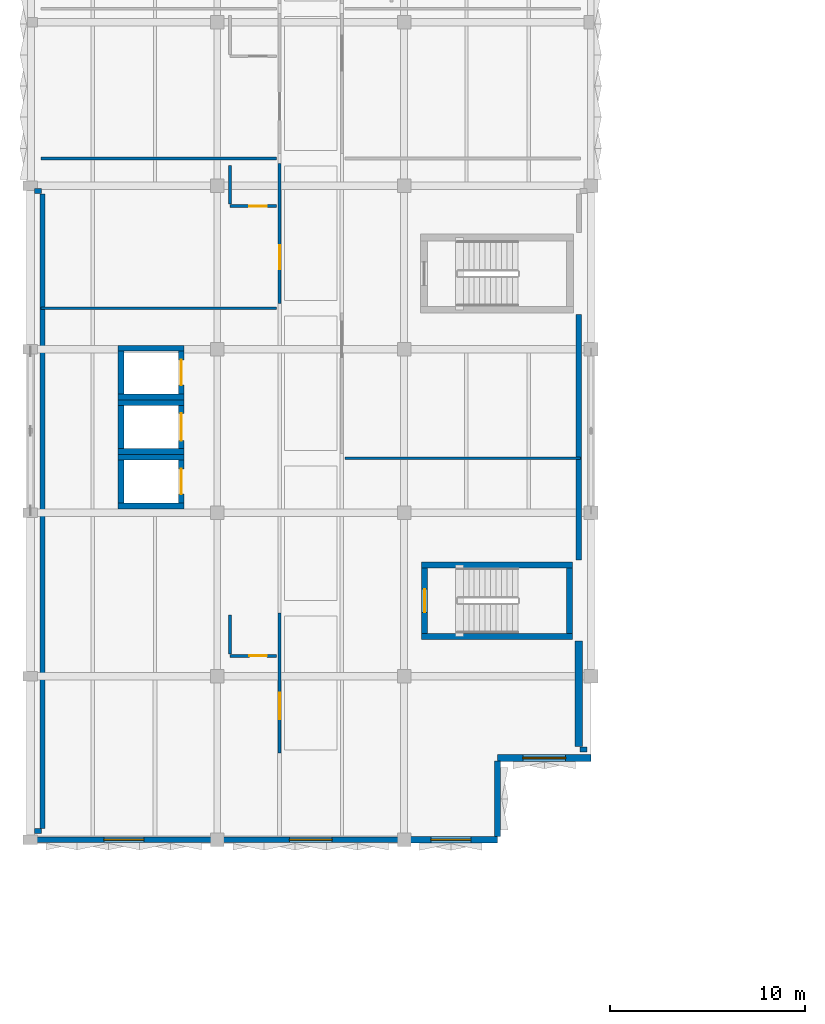
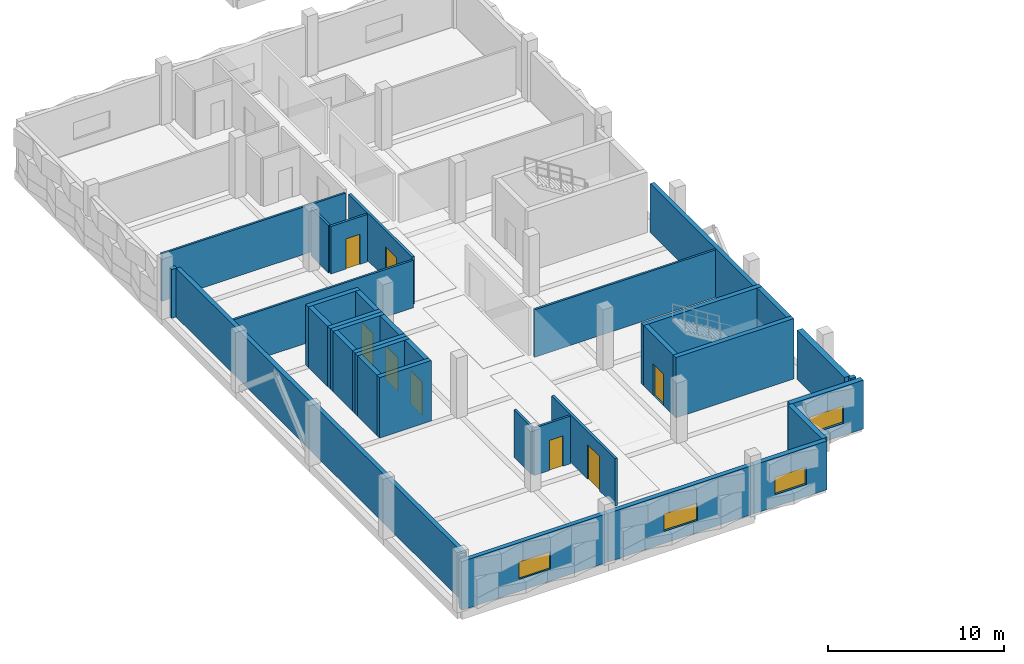
# One storey, part 37 of 57: 36 walls, 8 doors, 4 windows, 12 openings.
"""IFC4 building model written with IfcOpenShell, lengths in metres."""

import ifcopenshell
import ifcopenshell.guid

model = None  # the IFC model being written
_history = None  # IfcOwnerHistory: only IFC2X3 demands one
_inside = {}  # id of a spatial element -> (the spatial element, [elements in it])
_under = {}  # id of a project, library or spatial element -> (it, [spatial elements below it])
_declared = {}  # id of a project -> (the project, [libraries it declares])
_typed = {}  # id of a type object -> (the type object, [elements of that type])
_made_of = {}  # id of a material, layer set ... -> (it, [elements and type objects made of it])


def new_model(schema):
    """Start an empty IFC model of exactly this schema.

    Asked for "IFC4X3", IfcOpenShell would pick the latest addendum, in which some entities
    have other attributes; the version numbers below select the first issue.
    IFC2X3 requires an IfcOwnerHistory on every rooted entity: one is made here for all.
    """
    global model, _history
    if schema == "IFC4X3":
        model = ifcopenshell.file(schema_version=(4, 3, 0, 0))
    else:
        model = ifcopenshell.file(schema=schema)
    _inside.clear()
    _under.clear()
    _declared.clear()
    _typed.clear()
    _made_of.clear()
    _history = None
    if model.schema == "IFC2X3":
        org = make("IfcOrganization", Name="unknown")
        user = make(
            "IfcPersonAndOrganization",
            ThePerson=make("IfcPerson", FamilyName="unknown"),
            TheOrganization=org,
        )
        app = make(
            "IfcApplication",
            ApplicationDeveloper=org,
            Version="unknown",
            ApplicationFullName="unknown",
            ApplicationIdentifier="unknown",
        )
        _history = make(
            "IfcOwnerHistory",
            OwningUser=user,
            OwningApplication=app,
            ChangeAction="ADDED",
            CreationDate=0,
        )
    return model


def make(cls, **values):
    """One entity of the class cls with the attributes given. An attribute that is None is left unset."""
    return model.create_entity(
        cls, **{name: value for name, value in values.items() if value is not None}
    )


def rooted(cls, **values):
    """An entity with a GlobalId (a new one), such as an element, a storey or a relation."""
    return make(cls, GlobalId=ifcopenshell.guid.new(), OwnerHistory=_history, **values)


def si_unit(unit_type, name, prefix=None):
    """IfcSIUnit, for example si_unit("LENGTHUNIT", "METRE", prefix="MILLI")."""
    return make("IfcSIUnit", UnitType=unit_type, Prefix=prefix, Name=name)


def assignment(units):
    """IfcUnitAssignment: the units of a project."""
    return None if units is None else make("IfcUnitAssignment", Units=units)


def point(xyz):
    """IfcCartesianPoint."""
    return None if xyz is None else make("IfcCartesianPoint", Coordinates=xyz)


def direction(xyz):
    """IfcDirection."""
    return None if xyz is None else make("IfcDirection", DirectionRatios=xyz)


def frame(location, z_axis=None, x_axis=None):
    """IfcAxis2Placement3D, a coordinate frame: its origin and axes. An axis left out is left unset."""
    return make(
        "IfcAxis2Placement3D",
        Location=point(location),
        Axis=direction(z_axis),
        RefDirection=direction(x_axis),
    )


def frame_2d(location, x_axis=None):
    """IfcAxis2Placement2D, a coordinate frame in the plane: its origin and x axis."""
    return make(
        "IfcAxis2Placement2D", Location=point(location), RefDirection=direction(x_axis)
    )


def origin():
    """The frame at (0, 0, 0) with its axes left unset."""
    return frame((0.0, 0.0, 0.0))


def place(relative_to, where):
    """IfcLocalPlacement: puts the frame where relative to a parent placement (None: the world)."""
    return make(
        "IfcLocalPlacement", PlacementRelTo=relative_to, RelativePlacement=where
    )


def context(
    kind, dimensions, precision=None, world=None, true_north=None, identifier=None
):
    """IfcGeometricRepresentationContext, for example the 3D "Model" context."""
    return make(
        "IfcGeometricRepresentationContext",
        ContextIdentifier=identifier,
        ContextType=kind,
        CoordinateSpaceDimension=dimensions,
        Precision=precision,
        WorldCoordinateSystem=world,
        TrueNorth=true_north,
    )


def subcontext(parent, identifier, kind, view, scale=None):
    """IfcGeometricRepresentationSubContext, for example "Body" below "Model"."""
    return make(
        "IfcGeometricRepresentationSubContext",
        ContextIdentifier=identifier,
        ContextType=kind,
        ParentContext=parent,
        TargetScale=scale,
        TargetView=view,
    )


def project(units=None, contexts=None):
    """IfcProject with its units and contexts."""
    return rooted(
        "IfcProject",
        Name="project",
        RepresentationContexts=contexts,
        UnitsInContext=assignment(units),
    )


def spatial(cls, under=None, at=None, **own):
    """A site, building, storey or space (cls), placed at a placement, below another one or the project."""
    s = rooted(cls, ObjectPlacement=at, **own)
    if under is not None:
        _under.setdefault(under.id(), (under, []))[1].append(s)
    return s


def profile(cls, at=None, kind="AREA", **sizes):
    """A parametric profile (cls). Its sizes go by their IFC names, for example OverallWidth=200.0."""
    return make(cls, ProfileType=kind, Position=at, **sizes)


def rectangle(**sizes):
    """IfcRectangleProfileDef."""
    return profile("IfcRectangleProfileDef", **sizes)


def extrude(swept, where, along, depth):
    """IfcExtrudedAreaSolid: the profile swept, set in the frame where, extruded along a direction by depth."""
    return make(
        "IfcExtrudedAreaSolid",
        SweptArea=swept,
        Position=where,
        ExtrudedDirection=direction(along),
        Depth=depth,
    )


def shape(context_of_items, identifier, shape_type, items):
    """IfcShapeRepresentation: the items that make up one representation, for example the "Body"."""
    return make(
        "IfcShapeRepresentation",
        ContextOfItems=context_of_items,
        RepresentationIdentifier=identifier,
        RepresentationType=shape_type,
        Items=items,
    )


def material(Name=None, Category=None):
    """IfcMaterial."""
    return make("IfcMaterial", Name=Name, Category=Category)


def layer(
    of_material, thickness, ventilated=None, Name=None, Category=None, Priority=None
):
    """IfcMaterialLayer: one layer of a wall or slab, of a material (None: an air gap)."""
    return make(
        "IfcMaterialLayer",
        Material=of_material,
        LayerThickness=thickness,
        IsVentilated=ventilated,
        Name=Name,
        Category=Category,
        Priority=Priority,
    )


def layer_set(layers, Name=None):
    """IfcMaterialLayerSet."""
    return make("IfcMaterialLayerSet", MaterialLayers=layers, LayerSetName=Name)


def made_of(thing, what):
    """Note that an element or type object is made of a material, layer set ...; save() writes the relation."""
    if what is not None:
        _made_of.setdefault(what.id(), (what, []))[1].append(thing)
    return thing


def type_object(cls, material=None, **own):
    """A type object (cls), such as IfcWallType, which elements share."""
    return made_of(rooted(cls, **own), material)


def element(
    cls,
    number,
    at=None,
    inside=None,
    cuts=None,
    type_object=None,
    material=None,
    context=None,
    identifier="Body",
    shape_type=None,
    held_by="IfcProductDefinitionShape",
    body=None,
    shapes=None,
    **own,
):
    """One element of the class cls, such as IfcWall. Its Tag is "e" and its number.

    at: its placement. inside: the storey or other place that contains it. cuts: it is an
    opening in that element (IfcRelVoidsElement). A single representation is given by context,
    identifier, shape_type and body (its items); several are given by shapes. held_by: the class
    of the entity that holds the representations. save() writes the other relations.
    """
    e = rooted(cls, Tag="e%d" % number, ObjectPlacement=at, **own)
    if body is not None:
        shapes = [shape(context, identifier, shape_type, body)]
    if shapes is not None:
        e.Representation = make(held_by, Representations=shapes)
    if inside is not None:
        _inside.setdefault(inside.id(), (inside, []))[1].append(e)
    if cuts is not None:
        rooted(
            "IfcRelVoidsElement", RelatingBuildingElement=cuts, RelatedOpeningElement=e
        )
    if type_object is not None:
        _typed.setdefault(type_object.id(), (type_object, []))[1].append(e)
    return made_of(e, material)


def fill(opening, filler):
    """IfcRelFillsElement: the door or window that sits in an opening."""
    return rooted(
        "IfcRelFillsElement",
        RelatingOpeningElement=opening,
        RelatedBuildingElement=filler,
    )


def aggregate(whole, parts):
    """IfcRelAggregates: a whole, such as a stair, and the parts it consists of."""
    return rooted("IfcRelAggregates", RelatingObject=whole, RelatedObjects=parts)


def save(model, path):
    """Write the relations noted so far, then the file.

    IfcRelAggregates (storeys below a building ...), IfcRelContainedInSpatialStructure (elements
    in a storey), IfcRelDefinesByType, IfcRelAssociatesMaterial and IfcRelDeclares: one each for
    every whole, place, type object, material and project.
    """
    for whole, parts in _under.values():
        aggregate(whole, parts)
    for where, things in _inside.values():
        rooted(
            "IfcRelContainedInSpatialStructure",
            RelatedElements=things,
            RelatingStructure=where,
        )
    for kind, things in _typed.values():
        rooted("IfcRelDefinesByType", RelatedObjects=things, RelatingType=kind)
    for what, things in _made_of.values():
        rooted("IfcRelAssociatesMaterial", RelatedObjects=things, RelatingMaterial=what)
    for by, libraries in _declared.values():
        rooted("IfcRelDeclares", RelatingContext=by, RelatedDefinitions=libraries)
    model.write(path)


model = new_model("IFC4")

# Units and contexts
model_context = context("Model", 3, precision=1e-05, world=origin(), true_north=direction((0.0, 1.0)))
body_context = subcontext(model_context, "Body", "Model", "MODEL_VIEW")
ifc_project = project(units=[si_unit("LENGTHUNIT", "METRE"), si_unit("AREAUNIT", "SQUARE_METRE"), si_unit("VOLUMEUNIT", "CUBIC_METRE"), si_unit("PLANEANGLEUNIT", "RADIAN"), si_unit("MASSUNIT", "GRAM", prefix="KILO")], contexts=[model_context])

# Site, building, storey
site_placement = place(None, origin())
site = spatial("IfcSite", under=ifc_project, at=site_placement, CompositionType="ELEMENT")
building_placement = place(site_placement, origin())
building = spatial("IfcBuilding", under=site, at=building_placement, Name="Oolite Switchyard Hospital", CompositionType="ELEMENT")
storey_placement = place(building_placement, frame((0.0, 0.0, 17.800048828125)))
storey = spatial("IfcBuildingStorey", under=building, at=storey_placement, Name="L04", CompositionType="ELEMENT", Elevation=17.800048828125)

# Walls
ifc_material_1 = material(Name="Precast oolitic limestone architectural concrete C40/50", Category="masonry")
ifc_layer_1 = layer(ifc_material_1, 0.260009765625)
ifc_layer_set_1 = layer_set([ifc_layer_1], Name="WAL-EXT-260")
wall_type_1 = type_object("IfcWallType", Name="WAL-EXT-260", PredefinedType="SOLIDWALL", material=ifc_layer_set_1)
for number, where, z_axis, x_axis, name in (
    (1, (0.199951171875, 34.0400390625, 0.0), (0.0, 0.0, 1.0), (1.0, 0.0, 0.0), "L04 Brace Alcove Cheek Wall 282"),
    (2, (0.199951171875, 66.919921875, 0.0), (0.0, 0.0, 1.0), (1.0, 0.0, 0.0), "L04 Brace Alcove Cheek Wall 283"),
    (3, (28.60009765625, 38.239990234375, 0.0), (0.0, 0.0, 1.0), (-1.0, 0.0, 0.0), "L04 Brace Alcove Cheek Wall 288"),
):
    element("IfcWall", number, at=place(storey_placement, frame(where, z_axis=z_axis, x_axis=x_axis)), inside=storey, type_object=wall_type_1, Name=name, PredefinedType="SOLIDWALL", context=body_context, shape_type="SweptSolid", body=[
        extrude(rectangle(XDim=0.360107421875, YDim=0.260009765625, at=frame_2d((0.18017578125, 0.0))), origin(), (0.0, 0.0, 1.0), 3.389892578125),
    ])

# Wall, opening, window
ifc_layer_2 = layer(ifc_material_1, 0.280029296875)
ifc_layer_set_2 = layer_set([ifc_layer_2], Name="WAL-EXT-280")
wall_type_2 = type_object("IfcWallType", Name="WAL-EXT-280", PredefinedType="SOLIDWALL", material=ifc_layer_set_2)
wall_1_placement = place(storey_placement, frame((9.60009765625, 33.60009765625, 0.0), z_axis=(0.0, 0.0, 1.0), x_axis=(-1.0, 0.0, 0.0)))
wall_1 = element("IfcWall", 4, at=wall_1_placement, inside=storey, type_object=wall_type_2, Name="L04 Exterior Spandrel Wall 256", PredefinedType="SOLIDWALL", context=body_context, shape_type="SweptSolid", body=[
    extrude(rectangle(XDim=9.60009765625, YDim=0.280029296875, at=frame_2d((4.800048828125, 0.0))), origin(), (0.0, 0.0, 1.0), 3.389892578125),
])
opening_1_placement = place(wall_1_placement, frame((3.77490234375, 0.0, 0.85009765625)))
opening_1 = element("IfcOpeningElement", 5, at=opening_1_placement, cuts=wall_1, Name="Opening WN-0151", PredefinedType="OPENING", context=body_context, shape_type="SweptSolid", body=[
    extrude(rectangle(XDim=2.050048828125, YDim=1.199951171875, at=frame_2d((1.02490234375, 0.60009765625))), frame((0.0, 0.14990234375, 0.0), z_axis=(0.0, -1.0, 0.0), x_axis=(1.0, 0.0, 0.0)), (0.0, 0.0, 1.0), 0.300048828125),
])
ifc_material_2 = material(Name="Thermally broken aluminum frame with laminated impact glazing", Category="aluminium")
window_type_1 = type_object("IfcWindowType", Name="WIN-IMP-205X120", PartitioningType="SINGLE_PANEL", PredefinedType="WINDOW", material=ifc_material_2)
window_1_placement = place(opening_1_placement, origin())
window_1 = element("IfcWindow", 6, at=window_1_placement, inside=storey, type_object=window_type_1, Name="L04 Hurricane Impact Window WN-0151", OverallHeight=1.199951171875, OverallWidth=2.050048828125, PartitioningType="SINGLE_PANEL", PredefinedType="WINDOW", context=body_context, shape_type="SweptSolid", body=[
    extrude(rectangle(XDim=2.050048828125, YDim=1.199951171875, at=frame_2d((1.02490234375, 0.60009765625))), frame((0.0, 0.030029296875, 0.0), z_axis=(0.0, -1.0, 0.0), x_axis=(1.0, 0.0, 0.0)), (0.0, 0.0, 1.0), 0.06005859375),
])
fill(opening_1, window_1)

# Walls
wall_2_placement = place(storey_placement, frame((0.6201171875, 34.179931640625, 0.0), z_axis=(0.0, 0.0, 1.0), x_axis=(0.0, 1.0, 0.0)))
element("IfcWall", 7, at=wall_2_placement, inside=storey, type_object=wall_type_2, Name="L04 Exterior Spandrel Wall 284", PredefinedType="SOLIDWALL", context=body_context, shape_type="SweptSolid", body=[
    extrude(rectangle(XDim=32.60009765625, YDim=0.280029296875, at=frame_2d((16.300048828125, 0.0))), origin(), (0.0, 0.0, 1.0), 3.389892578125),
])
wall_3_placement = place(storey_placement, frame((28.179931640625, 60.574951171875, 0.0), z_axis=(0.0, 0.0, 1.0), x_axis=(0.0, -1.0, 0.0)))
element("IfcWall", 8, at=wall_3_placement, inside=storey, type_object=wall_type_2, Name="L04 Exterior Spandrel Wall 291", PredefinedType="SOLIDWALL", context=body_context, shape_type="SweptSolid", body=[
    extrude(rectangle(XDim=12.614990234375, YDim=0.280029296875, at=frame_2d((6.3076171875, 0.0))), origin(), (0.0, 0.0, 1.0), 3.389892578125),
])

# Wall, opening, window
ifc_layer_3 = layer(ifc_material_1, 0.300048828125)
ifc_layer_set_3 = layer_set([ifc_layer_3], Name="WAL-EXT-300")
wall_type_3 = type_object("IfcWallType", Name="WAL-EXT-300", PredefinedType="SOLIDWALL", material=ifc_layer_set_3)
wall_4_placement = place(storey_placement, frame((19.199951171875, 33.60009765625, 0.0), z_axis=(0.0, 0.0, 1.0), x_axis=(-1.0, 0.0, 0.0)))
wall_4 = element("IfcWall", 9, at=wall_4_placement, inside=storey, type_object=wall_type_3, Name="L04 Exterior Spandrel Wall 257", PredefinedType="SOLIDWALL", context=body_context, shape_type="SweptSolid", body=[
    extrude(rectangle(XDim=9.599853515625, YDim=0.300048828125, at=frame_2d((4.7998046875, 0.0))), origin(), (0.0, 0.0, 1.0), 3.389892578125),
])
opening_2_placement = place(wall_4_placement, frame((3.699951171875, 0.0, 0.85009765625)))
opening_2 = element("IfcOpeningElement", 10, at=opening_2_placement, cuts=wall_4, Name="Opening WN-0152", PredefinedType="OPENING", context=body_context, shape_type="SweptSolid", body=[
    extrude(rectangle(XDim=2.199951171875, YDim=1.199951171875, at=frame_2d((1.10009765625, 0.60009765625))), frame((0.0, 0.16015625, 0.0), z_axis=(0.0, -1.0, 0.0), x_axis=(1.0, 0.0, 0.0)), (0.0, 0.0, 1.0), 0.320068359375),
])
window_type_2 = type_object("IfcWindowType", Name="WIN-IMP-220X120", PartitioningType="SINGLE_PANEL", PredefinedType="WINDOW", material=ifc_material_2)
window_2_placement = place(opening_2_placement, origin())
window_2 = element("IfcWindow", 11, at=window_2_placement, inside=storey, type_object=window_type_2, Name="L04 Hurricane Impact Window WN-0152", OverallHeight=1.199951171875, OverallWidth=2.199951171875, PartitioningType="SINGLE_PANEL", PredefinedType="WINDOW", context=body_context, shape_type="SweptSolid", body=[
    extrude(rectangle(XDim=2.199951171875, YDim=1.199951171875, at=frame_2d((1.10009765625, 0.60009765625))), frame((0.0, 0.030029296875, 0.0), z_axis=(0.0, -1.0, 0.0), x_axis=(1.0, 0.0, 0.0)), (0.0, 0.0, 1.0), 0.06005859375),
])
fill(opening_2, window_2)

ifc_layer_4 = layer(ifc_material_1, 0.320068359375)
ifc_layer_set_4 = layer_set([ifc_layer_4], Name="WAL-EXT-320")
wall_type_4 = type_object("IfcWallType", Name="WAL-EXT-320", PredefinedType="SOLIDWALL", material=ifc_layer_set_4)
wall_5_placement = place(storey_placement, frame((24.0, 33.60009765625, 0.0), z_axis=(0.0, 0.0, 1.0), x_axis=(-1.0, 0.0, 0.0)))
wall_5 = element("IfcWall", 12, at=wall_5_placement, inside=storey, type_object=wall_type_4, Name="L04 Exterior Spandrel Wall 258", PredefinedType="SOLIDWALL", context=body_context, shape_type="SweptSolid", body=[
    extrude(rectangle(XDim=4.800048828125, YDim=0.320068359375, at=frame_2d((2.39990234375, 0.0))), origin(), (0.0, 0.0, 1.0), 3.389892578125),
])
opening_3_placement = place(wall_5_placement, frame((1.375, 0.0, 0.85009765625)))
opening_3 = element("IfcOpeningElement", 13, at=opening_3_placement, cuts=wall_5, Name="Opening WN-0153", PredefinedType="OPENING", context=body_context, shape_type="SweptSolid", body=[
    extrude(rectangle(XDim=2.050048828125, YDim=1.199951171875, at=frame_2d((1.02490234375, 0.60009765625))), frame((0.0, 0.169921875, 0.0), z_axis=(0.0, -1.0, 0.0), x_axis=(1.0, 0.0, 0.0)), (0.0, 0.0, 1.0), 0.340087890625),
])
window_3_placement = place(opening_3_placement, origin())
window_3 = element("IfcWindow", 14, at=window_3_placement, inside=storey, type_object=window_type_1, Name="L04 Hurricane Impact Window WN-0153", OverallHeight=1.199951171875, OverallWidth=2.050048828125, PartitioningType="SINGLE_PANEL", PredefinedType="WINDOW", context=body_context, shape_type="SweptSolid", body=[
    extrude(rectangle(XDim=2.050048828125, YDim=1.199951171875, at=frame_2d((1.02490234375, 0.60009765625))), frame((0.0, 0.030029296875, 0.0), z_axis=(0.0, -1.0, 0.0), x_axis=(1.0, 0.0, 0.0)), (0.0, 0.0, 1.0), 0.06005859375),
])
fill(opening_3, window_3)

# Wall
wall_6_placement = place(storey_placement, frame((24.0, 37.639892578125, 0.0), z_axis=(0.0, 0.0, 1.0), x_axis=(0.0, -1.0, 0.0)))
element("IfcWall", 15, at=wall_6_placement, inside=storey, type_object=wall_type_4, Name="L04 Exterior Spandrel Wall 286", PredefinedType="SOLIDWALL", context=body_context, shape_type="SweptSolid", body=[
    extrude(rectangle(XDim=3.8798828125, YDim=0.320068359375, at=frame_2d((1.93994140625, 0.0))), origin(), (0.0, 0.0, 1.0), 3.389892578125),
])

# Wall, opening, window
ifc_layer_5 = layer(ifc_material_1, 0.340087890625)
ifc_layer_set_5 = layer_set([ifc_layer_5], Name="WAL-EXT-340")
wall_type_5 = type_object("IfcWallType", Name="WAL-EXT-340", PredefinedType="SOLIDWALL", material=ifc_layer_set_5)
wall_7_placement = place(storey_placement, frame((28.800048828125, 37.800048828125, 0.0), z_axis=(0.0, 0.0, 1.0), x_axis=(-1.0, 0.0, 0.0)))
wall_7 = element("IfcWall", 16, at=wall_7_placement, inside=storey, type_object=wall_type_5, Name="L04 Exterior Spandrel Wall 259", PredefinedType="SOLIDWALL", context=body_context, shape_type="SweptSolid", body=[
    extrude(rectangle(XDim=4.800048828125, YDim=0.340087890625, at=frame_2d((2.39990234375, 0.0))), origin(), (0.0, 0.0, 1.0), 3.389892578125),
])
opening_4_placement = place(wall_7_placement, frame((1.300048828125, 0.0, 0.85009765625)))
opening_4 = element("IfcOpeningElement", 17, at=opening_4_placement, cuts=wall_7, Name="Opening WN-0154", PredefinedType="OPENING", context=body_context, shape_type="SweptSolid", body=[
    extrude(rectangle(XDim=2.199951171875, YDim=1.199951171875, at=frame_2d((1.10009765625, 0.60009765625))), frame((0.0, 0.18017578125, 0.0), z_axis=(0.0, -1.0, 0.0), x_axis=(1.0, 0.0, 0.0)), (0.0, 0.0, 1.0), 0.360107421875),
])
window_4_placement = place(opening_4_placement, origin())
window_4 = element("IfcWindow", 18, at=window_4_placement, inside=storey, type_object=window_type_2, Name="L04 Hurricane Impact Window WN-0154", OverallHeight=1.199951171875, OverallWidth=2.199951171875, PartitioningType="SINGLE_PANEL", PredefinedType="WINDOW", context=body_context, shape_type="SweptSolid", body=[
    extrude(rectangle(XDim=2.199951171875, YDim=1.199951171875, at=frame_2d((1.10009765625, 0.60009765625))), frame((0.0, 0.030029296875, 0.0), z_axis=(0.0, -1.0, 0.0), x_axis=(1.0, 0.0, 0.0)), (0.0, 0.0, 1.0), 0.06005859375),
])
fill(opening_4, window_4)

# Walls
ifc_layer_6 = layer(ifc_material_1, 0.3798828125)
ifc_layer_set_6 = layer_set([ifc_layer_6], Name="WAL-EXT-380")
wall_type_6 = type_object("IfcWallType", Name="WAL-EXT-380", PredefinedType="SOLIDWALL", material=ifc_layer_set_6)
wall_8_placement = place(storey_placement, frame((28.179931640625, 43.800048828125, 0.0), z_axis=(0.0, 0.0, 1.0), x_axis=(0.0, -1.0, 0.0)))
element("IfcWall", 19, at=wall_8_placement, inside=storey, type_object=wall_type_6, Name="L04 Exterior Spandrel Wall 289", PredefinedType="SOLIDWALL", context=body_context, shape_type="SweptSolid", body=[
    extrude(rectangle(XDim=5.420166015625, YDim=0.3798828125, at=frame_2d((2.7099609375, 0.0))), origin(), (0.0, 0.0, 1.0), 3.389892578125),
])
ifc_material_3 = material(Name="Moisture-resistant gypsum board on steel studs", Category="steel")
ifc_layer_7 = layer(ifc_material_3, 0.135009765625)
ifc_layer_set_7 = layer_set([ifc_layer_7], Name="WAL-PART-135")
wall_type_7 = type_object("IfcWallType", Name="WAL-PART-135", PredefinedType="PARTITIONING", material=ifc_layer_set_7)
wall_9_placement = place(storey_placement, frame((16.14990234375, 53.199951171875, 0.0), z_axis=(0.0, 0.0, 1.0), x_axis=(1.0, 0.0, 0.0)))
element("IfcWall", 20, at=wall_9_placement, inside=storey, type_object=wall_type_7, Name="L04 Interior Partition 744", PredefinedType="PARTITIONING", context=body_context, shape_type="SweptSolid", body=[
    extrude(rectangle(XDim=12.10009765625, YDim=0.135009765625, at=frame_2d((6.050048828125, 0.0))), origin(), (0.0, 0.0, 1.0), 3.300048828125),
])
for number, where, z_axis, x_axis, name in (
    (21, (0.550048828125, 60.89990234375, 0.0), (0.0, 0.0, 1.0), (1.0, 0.0, 0.0), "L04 Interior Partition 748"),
    (22, (0.550048828125, 68.60009765625, 0.0), (0.0, 0.0, 1.0), (1.0, 0.0, 0.0), "L04 Interior Partition 752"),
):
    element("IfcWall", number, at=place(storey_placement, frame(where, z_axis=z_axis, x_axis=x_axis)), inside=storey, type_object=wall_type_7, Name=name, PredefinedType="PARTITIONING", context=body_context, shape_type="SweptSolid", body=[
        extrude(rectangle(XDim=12.099853515625, YDim=0.135009765625, at=frame_2d((6.0498046875, 0.0))), origin(), (0.0, 0.0, 1.0), 3.300048828125),
    ])

# Wall, opening, door
ifc_layer_8 = layer(ifc_material_3, 0.14990234375)
ifc_layer_set_8 = layer_set([ifc_layer_8], Name="WAL-PART-150")
wall_type_8 = type_object("IfcWallType", Name="WAL-PART-150", PredefinedType="PARTITIONING", material=ifc_layer_set_8)
wall_10_placement = place(storey_placement, frame((10.25, 43.050048828125, 0.0), z_axis=(0.0, 0.0, 1.0), x_axis=(1.0, 0.0, 0.0)))
wall_10 = element("IfcWall", 23, at=wall_10_placement, inside=storey, type_object=wall_type_8, Name="L04 Interior Partition 741", PredefinedType="PARTITIONING", context=body_context, shape_type="SweptSolid", body=[
    extrude(rectangle(XDim=2.39990234375, YDim=0.14990234375, at=frame_2d((1.199951171875, 0.0))), origin(), (0.0, 0.0, 1.0), 3.300048828125),
])
opening_5_placement = place(wall_10_placement, frame((1.0, 0.0, 0.0)))
opening_5 = element("IfcOpeningElement", 24, at=opening_5_placement, cuts=wall_10, Name="Opening D-0413", PredefinedType="OPENING", context=body_context, shape_type="SweptSolid", body=[
    extrude(rectangle(XDim=0.89990234375, YDim=2.10009765625, at=frame_2d((0.449951171875, 1.050048828125))), frame((0.0, 0.0849609375, 0.0), z_axis=(0.0, -1.0, 0.0), x_axis=(1.0, 0.0, 0.0)), (0.0, 0.0, 1.0), 0.169921875),
])
ifc_material_4 = material(Name="Solid-core antimicrobial hardwood leaf in steel frame", Category="steel")
door_type_1 = type_object("IfcDoorType", Name="DR-BATH-090X210", OperationType="NOTDEFINED", PredefinedType="DOOR", material=ifc_material_4)
door_1_placement = place(opening_5_placement, origin())
door_1 = element("IfcDoor", 25, at=door_1_placement, inside=storey, type_object=door_type_1, Name="L04 Interior Door D-0413", OperationType="SINGLE_SWING_RIGHT", OverallHeight=2.10009765625, OverallWidth=0.89990234375, PredefinedType="DOOR", context=body_context, shape_type="SweptSolid", body=[
    extrude(rectangle(XDim=0.89990234375, YDim=2.10009765625, at=frame_2d((0.449951171875, 1.050048828125))), frame((0.0, 0.02490234375, 0.0), z_axis=(0.0, -1.0, 0.0), x_axis=(1.0, 0.0, 0.0)), (0.0, 0.0, 1.0), 0.050048828125),
])
fill(opening_5, door_1)

# Wall
wall_11_placement = place(storey_placement, frame((10.25, 43.14990234375, 0.0), z_axis=(0.0, 0.0, 1.0), x_axis=(0.0, 1.0, 0.0)))
element("IfcWall", 26, at=wall_11_placement, inside=storey, type_object=wall_type_8, Name="L04 Interior Partition 742", PredefinedType="PARTITIONING", context=body_context, shape_type="SweptSolid", body=[
    extrude(rectangle(XDim=2.0, YDim=0.14990234375, at=frame_2d((1.0, 0.0))), origin(), (0.0, 0.0, 1.0), 3.300048828125),
])

# Wall, opening, door
wall_12_placement = place(storey_placement, frame((10.25, 66.14990234375, 0.0), z_axis=(0.0, 0.0, 1.0), x_axis=(1.0, 0.0, 0.0)))
wall_12 = element("IfcWall", 27, at=wall_12_placement, inside=storey, type_object=wall_type_8, Name="L04 Interior Partition 746", PredefinedType="PARTITIONING", context=body_context, shape_type="SweptSolid", body=[
    extrude(rectangle(XDim=2.39990234375, YDim=0.14990234375, at=frame_2d((1.199951171875, 0.0))), origin(), (0.0, 0.0, 1.0), 3.300048828125),
])
opening_6_placement = place(wall_12_placement, frame((1.0, 0.0, 0.0)))
opening_6 = element("IfcOpeningElement", 28, at=opening_6_placement, cuts=wall_12, Name="Opening D-0416", PredefinedType="OPENING", context=body_context, shape_type="SweptSolid", body=[
    extrude(rectangle(XDim=0.89990234375, YDim=2.10009765625, at=frame_2d((0.449951171875, 1.050048828125))), frame((0.0, 0.0849609375, 0.0), z_axis=(0.0, -1.0, 0.0), x_axis=(1.0, 0.0, 0.0)), (0.0, 0.0, 1.0), 0.169921875),
])
door_2_placement = place(opening_6_placement, origin())
door_2 = element("IfcDoor", 29, at=door_2_placement, inside=storey, type_object=door_type_1, Name="L04 Interior Door D-0416", OperationType="SINGLE_SWING_LEFT", OverallHeight=2.10009765625, OverallWidth=0.89990234375, PredefinedType="DOOR", context=body_context, shape_type="SweptSolid", body=[
    extrude(rectangle(XDim=0.89990234375, YDim=2.10009765625, at=frame_2d((0.449951171875, 1.050048828125))), frame((0.0, 0.02490234375, 0.0), z_axis=(0.0, -1.0, 0.0), x_axis=(1.0, 0.0, 0.0)), (0.0, 0.0, 1.0), 0.050048828125),
])
fill(opening_6, door_2)

# Wall
wall_13_placement = place(storey_placement, frame((10.25, 66.25, 0.0), z_axis=(0.0, 0.0, 1.0), x_axis=(0.0, 1.0, 0.0)))
element("IfcWall", 30, at=wall_13_placement, inside=storey, type_object=wall_type_8, Name="L04 Interior Partition 747", PredefinedType="PARTITIONING", context=body_context, shape_type="SweptSolid", body=[
    extrude(rectangle(XDim=2.0, YDim=0.14990234375, at=frame_2d((1.0, 0.0))), origin(), (0.0, 0.0, 1.0), 3.300048828125),
])

# Wall, opening, door
ifc_layer_9 = layer(ifc_material_3, 0.1650390625)
ifc_layer_set_9 = layer_set([ifc_layer_9], Name="WAL-PART-165")
wall_type_9 = type_object("IfcWallType", Name="WAL-PART-165", PredefinedType="PARTITIONING", material=ifc_layer_set_9)
wall_14_placement = place(storey_placement, frame((12.800048828125, 38.050048828125, 0.0), z_axis=(0.0, 0.0, 1.0), x_axis=(0.0, 1.0, 0.0)))
wall_14 = element("IfcWall", 31, at=wall_14_placement, inside=storey, type_object=wall_type_9, Name="L04 Interior Partition 740", PredefinedType="PARTITIONING", context=body_context, shape_type="SweptSolid", body=[
    extrude(rectangle(XDim=7.199951171875, YDim=0.1650390625, at=frame_2d((3.60009765625, 0.0))), origin(), (0.0, 0.0, 1.0), 3.300048828125),
])
opening_7_placement = place(wall_14_placement, frame((1.75, 0.0, 0.0)))
opening_7 = element("IfcOpeningElement", 32, at=opening_7_placement, cuts=wall_14, Name="Opening D-0412", PredefinedType="OPENING", context=body_context, shape_type="SweptSolid", body=[
    extrude(rectangle(XDim=1.35009765625, YDim=2.39990234375, at=frame_2d((0.675048828125, 1.199951171875))), frame((0.0, 0.092529296875, 0.0), z_axis=(0.0, -1.0, 0.0), x_axis=(1.0, 0.0, 0.0)), (0.0, 0.0, 1.0), 0.18505859375),
])
door_type_2 = type_object("IfcDoorType", Name="DR-ICU-135X240", OperationType="NOTDEFINED", PredefinedType="DOOR", material=ifc_material_4)
door_3_placement = place(opening_7_placement, origin())
door_3 = element("IfcDoor", 33, at=door_3_placement, inside=storey, type_object=door_type_2, Name="L04 Interior Door D-0412", OperationType="SINGLE_SWING_LEFT", OverallHeight=2.39990234375, OverallWidth=1.35009765625, PredefinedType="DOOR", context=body_context, shape_type="SweptSolid", body=[
    extrude(rectangle(XDim=1.35009765625, YDim=2.39990234375, at=frame_2d((0.675048828125, 1.199951171875))), frame((0.0, 0.02490234375, 0.0), z_axis=(0.0, -1.0, 0.0), x_axis=(1.0, 0.0, 0.0)), (0.0, 0.0, 1.0), 0.050048828125),
])
fill(opening_7, door_3)

wall_15_placement = place(storey_placement, frame((12.800048828125, 61.14990234375, 0.0), z_axis=(0.0, 0.0, 1.0), x_axis=(0.0, 1.0, 0.0)))
wall_15 = element("IfcWall", 34, at=wall_15_placement, inside=storey, type_object=wall_type_9, Name="L04 Interior Partition 745", PredefinedType="PARTITIONING", context=body_context, shape_type="SweptSolid", body=[
    extrude(rectangle(XDim=7.2001953125, YDim=0.1650390625, at=frame_2d((3.60009765625, 0.0))), origin(), (0.0, 0.0, 1.0), 3.300048828125),
])
opening_8_placement = place(wall_15_placement, frame((1.75, 0.0, 0.0)))
opening_8 = element("IfcOpeningElement", 35, at=opening_8_placement, cuts=wall_15, Name="Opening D-0415", PredefinedType="OPENING", context=body_context, shape_type="SweptSolid", body=[
    extrude(rectangle(XDim=1.25, YDim=2.199951171875, at=frame_2d((0.625, 1.10009765625))), frame((0.0, 0.092529296875, 0.0), z_axis=(0.0, -1.0, 0.0), x_axis=(1.0, 0.0, 0.0)), (0.0, 0.0, 1.0), 0.18505859375),
])
door_type_3 = type_object("IfcDoorType", Name="DR-WARD-125X220", OperationType="NOTDEFINED", PredefinedType="DOOR", material=ifc_material_4)
door_4_placement = place(opening_8_placement, origin())
door_4 = element("IfcDoor", 36, at=door_4_placement, inside=storey, type_object=door_type_3, Name="L04 Interior Door D-0415", OperationType="SINGLE_SWING_RIGHT", OverallHeight=2.199951171875, OverallWidth=1.25, PredefinedType="DOOR", context=body_context, shape_type="SweptSolid", body=[
    extrude(rectangle(XDim=1.25, YDim=2.199951171875, at=frame_2d((0.625, 1.10009765625))), frame((0.0, 0.02490234375, 0.0), z_axis=(0.0, -1.0, 0.0), x_axis=(1.0, 0.0, 0.0)), (0.0, 0.0, 1.0), 0.050048828125),
])
fill(opening_8, door_4)

# Walls
ifc_material_5 = material(Name="Concrete C50/60", Category="concrete")
ifc_layer_10 = layer(ifc_material_5, 0.300048828125)
ifc_layer_set_10 = layer_set([ifc_layer_10], Name="WAL-SHR-300")
wall_type_10 = type_object("IfcWallType", Name="WAL-SHR-300", PredefinedType="SHEAR", material=ifc_layer_set_10)
wall_16_placement = place(storey_placement, frame((20.10009765625, 44.050048828125, 0.0), z_axis=(0.0, 0.0, 1.0), x_axis=(1.0, 0.0, 0.0)))
element("IfcWall", 37, at=wall_16_placement, inside=storey, type_object=wall_type_10, Name="L04 Core Shear Wall ST-01", PredefinedType="SHEAR", context=body_context, shape_type="SweptSolid", body=[
    extrude(rectangle(XDim=7.75, YDim=0.300048828125, at=frame_2d((3.875, 0.0))), origin(), (0.0, 0.0, 1.0), 4.199951171875),
])
wall_17_placement = place(storey_placement, frame((27.699951171875, 44.199951171875, 0.0), z_axis=(0.0, 0.0, 1.0), x_axis=(0.0, 1.0, 0.0)))
element("IfcWall", 38, at=wall_17_placement, inside=storey, type_object=wall_type_10, Name="L04 Core Shear Wall ST-01", PredefinedType="SHEAR", context=body_context, shape_type="SweptSolid", body=[
    extrude(rectangle(XDim=3.360107421875, YDim=0.300048828125, at=frame_2d((1.68017578125, 0.0))), origin(), (0.0, 0.0, 1.0), 4.199951171875),
])
wall_18_placement = place(storey_placement, frame((27.85009765625, 47.7099609375, 0.0), z_axis=(0.0, 0.0, 1.0), x_axis=(-1.0, 0.0, 0.0)))
element("IfcWall", 39, at=wall_18_placement, inside=storey, type_object=wall_type_10, Name="L04 Core Shear Wall ST-01", PredefinedType="SHEAR", context=body_context, shape_type="SweptSolid", body=[
    extrude(rectangle(XDim=7.75, YDim=0.300048828125, at=frame_2d((3.875, 0.0))), origin(), (0.0, 0.0, 1.0), 4.199951171875),
])

# Wall, opening, door
wall_19_placement = place(storey_placement, frame((20.25, 47.56005859375, 0.0), z_axis=(0.0, 0.0, 1.0), x_axis=(0.0, -1.0, 0.0)))
wall_19 = element("IfcWall", 40, at=wall_19_placement, inside=storey, type_object=wall_type_10, Name="L04 Core Shear Wall ST-01", PredefinedType="SHEAR", context=body_context, shape_type="SweptSolid", body=[
    extrude(rectangle(XDim=3.360107421875, YDim=0.300048828125, at=frame_2d((1.68017578125, 0.0))), origin(), (0.0, 0.0, 1.0), 4.199951171875),
])
opening_9_placement = place(wall_19_placement, frame((1.080078125, 0.0, 0.0)))
opening_9 = element("IfcOpeningElement", 41, at=opening_9_placement, cuts=wall_19, Name="Opening SD-005", PredefinedType="OPENING", context=body_context, shape_type="SweptSolid", body=[
    extrude(rectangle(XDim=1.199951171875, YDim=2.199951171875, at=frame_2d((0.60009765625, 1.10009765625))), frame((0.0, 0.16015625, 0.0), z_axis=(0.0, -1.0, 0.0), x_axis=(1.0, 0.0, 0.0)), (0.0, 0.0, 1.0), 0.320068359375),
])
ifc_material_6 = material(Name="Hollow metal fire-rated steel door assembly", Category="steel")
door_type_4 = type_object("IfcDoorType", Name="DR-STR-120X220", OperationType="NOTDEFINED", PredefinedType="DOOR", material=ifc_material_6)
door_5_placement = place(opening_9_placement, origin())
door_5 = element("IfcDoor", 42, at=door_5_placement, inside=storey, type_object=door_type_4, Name="L04 ST-01 Exit Stair Door SD-005", OperationType="SINGLE_SWING_LEFT", OverallHeight=2.199951171875, OverallWidth=1.199951171875, PredefinedType="DOOR", context=body_context, shape_type="SweptSolid", body=[
    extrude(rectangle(XDim=1.199951171875, YDim=2.199951171875, at=frame_2d((0.60009765625, 1.10009765625))), frame((0.0, 0.02490234375, 0.0), z_axis=(0.0, -1.0, 0.0), x_axis=(1.0, 0.0, 0.0)), (0.0, 0.0, 1.0), 0.050048828125),
])
fill(opening_9, door_5)

# Wall
wall_20_placement = place(storey_placement, frame((4.5, 50.75, 0.0), z_axis=(0.0, 0.0, 1.0), x_axis=(1.0, 0.0, 0.0)))
element("IfcWall", 43, at=wall_20_placement, inside=storey, type_object=wall_type_10, Name="L04 Lift Shaft Shear Wall EL-05", PredefinedType="SHEAR", context=body_context, shape_type="SweptSolid", body=[
    extrude(rectangle(XDim=3.39990234375, YDim=0.300048828125, at=frame_2d((1.699951171875, 0.0))), origin(), (0.0, 0.0, 1.0), 4.199951171875),
])

# Wall, opening, door
wall_21_placement = place(storey_placement, frame((7.75, 50.89990234375, 0.0), z_axis=(0.0, 0.0, 1.0), x_axis=(0.0, 1.0, 0.0)))
wall_21 = element("IfcWall", 44, at=wall_21_placement, inside=storey, type_object=wall_type_10, Name="L04 Lift Shaft Shear Wall EL-05", PredefinedType="SHEAR", context=body_context, shape_type="SweptSolid", body=[
    extrude(rectangle(XDim=2.2001953125, YDim=0.300048828125, at=frame_2d((1.10009765625, 0.0))), origin(), (0.0, 0.0, 1.0), 4.199951171875),
])
opening_10_placement = place(wall_21_placement, frame((0.449951171875, 0.0, 0.0)))
opening_10 = element("IfcOpeningElement", 45, at=opening_10_placement, cuts=wall_21, Name="Opening LD-039", PredefinedType="OPENING", context=body_context, shape_type="SweptSolid", body=[
    extrude(rectangle(XDim=1.300048828125, YDim=2.300048828125, at=frame_2d((0.64990234375, 1.14990234375))), frame((0.0, 0.16015625, 0.0), z_axis=(0.0, -1.0, 0.0), x_axis=(1.0, 0.0, 0.0)), (0.0, 0.0, 1.0), 0.320068359375),
])
ifc_material_7 = material(Name="Brushed stainless steel fire-rated sliding landing door", Category="steel")
door_type_5 = type_object("IfcDoorType", Name="DR-LD-130X230", OperationType="NOTDEFINED", PredefinedType="DOOR", material=ifc_material_7)
door_6_placement = place(opening_10_placement, origin())
door_6 = element("IfcDoor", 46, at=door_6_placement, inside=storey, type_object=door_type_5, Name="L04 EL-05 Lift Landing Door LD-039", OperationType="SLIDING_TO_LEFT", OverallHeight=2.300048828125, OverallWidth=1.300048828125, PredefinedType="DOOR", context=body_context, shape_type="SweptSolid", body=[
    extrude(rectangle(XDim=1.300048828125, YDim=2.300048828125, at=frame_2d((0.64990234375, 1.14990234375))), frame((0.0, 0.02490234375, 0.0), z_axis=(0.0, -1.0, 0.0), x_axis=(1.0, 0.0, 0.0)), (0.0, 0.0, 1.0), 0.050048828125),
])
fill(opening_10, door_6)

# Walls
wall_22_placement = place(storey_placement, frame((7.89990234375, 53.25, 0.0), z_axis=(0.0, 0.0, 1.0), x_axis=(-1.0, 0.0, 0.0)))
element("IfcWall", 47, at=wall_22_placement, inside=storey, type_object=wall_type_10, Name="L04 Lift Shaft Shear Wall EL-05", PredefinedType="SHEAR", context=body_context, shape_type="SweptSolid", body=[
    extrude(rectangle(XDim=3.39990234375, YDim=0.300048828125, at=frame_2d((1.699951171875, 0.0))), origin(), (0.0, 0.0, 1.0), 4.199951171875),
])
wall_23_placement = place(storey_placement, frame((4.64990234375, 53.10009765625, 0.0), z_axis=(0.0, 0.0, 1.0), x_axis=(0.0, -1.0, 0.0)))
element("IfcWall", 48, at=wall_23_placement, inside=storey, type_object=wall_type_10, Name="L04 Lift Shaft Shear Wall EL-05", PredefinedType="SHEAR", context=body_context, shape_type="SweptSolid", body=[
    extrude(rectangle(XDim=2.2001953125, YDim=0.300048828125, at=frame_2d((1.10009765625, 0.0))), origin(), (0.0, 0.0, 1.0), 4.199951171875),
])
wall_24_placement = place(storey_placement, frame((4.5, 53.550048828125, 0.0), z_axis=(0.0, 0.0, 1.0), x_axis=(1.0, 0.0, 0.0)))
element("IfcWall", 49, at=wall_24_placement, inside=storey, type_object=wall_type_10, Name="L04 Lift Shaft Shear Wall EL-06", PredefinedType="SHEAR", context=body_context, shape_type="SweptSolid", body=[
    extrude(rectangle(XDim=3.39990234375, YDim=0.300048828125, at=frame_2d((1.699951171875, 0.0))), origin(), (0.0, 0.0, 1.0), 4.199951171875),
])

# Wall, opening, door
wall_25_placement = place(storey_placement, frame((7.75, 53.699951171875, 0.0), z_axis=(0.0, 0.0, 1.0), x_axis=(0.0, 1.0, 0.0)))
wall_25 = element("IfcWall", 50, at=wall_25_placement, inside=storey, type_object=wall_type_10, Name="L04 Lift Shaft Shear Wall EL-06", PredefinedType="SHEAR", context=body_context, shape_type="SweptSolid", body=[
    extrude(rectangle(XDim=2.199951171875, YDim=0.300048828125, at=frame_2d((1.10009765625, 0.0))), origin(), (0.0, 0.0, 1.0), 4.199951171875),
])
opening_11_placement = place(wall_25_placement, frame((0.39990234375, 0.0, 0.0)))
opening_11 = element("IfcOpeningElement", 51, at=opening_11_placement, cuts=wall_25, Name="Opening LD-046", PredefinedType="OPENING", context=body_context, shape_type="SweptSolid", body=[
    extrude(rectangle(XDim=1.39990234375, YDim=2.300048828125, at=frame_2d((0.699951171875, 1.14990234375))), frame((0.0, 0.16015625, 0.0), z_axis=(0.0, -1.0, 0.0), x_axis=(1.0, 0.0, 0.0)), (0.0, 0.0, 1.0), 0.320068359375),
])
door_type_6 = type_object("IfcDoorType", Name="DR-LD-140X230", OperationType="NOTDEFINED", PredefinedType="DOOR", material=ifc_material_7)
door_7_placement = place(opening_11_placement, origin())
door_7 = element("IfcDoor", 52, at=door_7_placement, inside=storey, type_object=door_type_6, Name="L04 EL-06 Lift Landing Door LD-046", OperationType="SLIDING_TO_RIGHT", OverallHeight=2.300048828125, OverallWidth=1.39990234375, PredefinedType="DOOR", context=body_context, shape_type="SweptSolid", body=[
    extrude(rectangle(XDim=1.39990234375, YDim=2.300048828125, at=frame_2d((0.699951171875, 1.14990234375))), frame((0.0, 0.02490234375, 0.0), z_axis=(0.0, -1.0, 0.0), x_axis=(1.0, 0.0, 0.0)), (0.0, 0.0, 1.0), 0.050048828125),
])
fill(opening_11, door_7)

# Walls
wall_26_placement = place(storey_placement, frame((7.89990234375, 56.050048828125, 0.0), z_axis=(0.0, 0.0, 1.0), x_axis=(-1.0, 0.0, 0.0)))
element("IfcWall", 53, at=wall_26_placement, inside=storey, type_object=wall_type_10, Name="L04 Lift Shaft Shear Wall EL-06", PredefinedType="SHEAR", context=body_context, shape_type="SweptSolid", body=[
    extrude(rectangle(XDim=3.39990234375, YDim=0.300048828125, at=frame_2d((1.699951171875, 0.0))), origin(), (0.0, 0.0, 1.0), 4.199951171875),
])
wall_27_placement = place(storey_placement, frame((4.64990234375, 55.89990234375, 0.0), z_axis=(0.0, 0.0, 1.0), x_axis=(0.0, -1.0, 0.0)))
element("IfcWall", 54, at=wall_27_placement, inside=storey, type_object=wall_type_10, Name="L04 Lift Shaft Shear Wall EL-06", PredefinedType="SHEAR", context=body_context, shape_type="SweptSolid", body=[
    extrude(rectangle(XDim=2.199951171875, YDim=0.300048828125, at=frame_2d((1.10009765625, 0.0))), origin(), (0.0, 0.0, 1.0), 4.199951171875),
])
wall_28_placement = place(storey_placement, frame((4.5, 56.35009765625, 0.0), z_axis=(0.0, 0.0, 1.0), x_axis=(1.0, 0.0, 0.0)))
element("IfcWall", 55, at=wall_28_placement, inside=storey, type_object=wall_type_10, Name="L04 Lift Shaft Shear Wall EL-07", PredefinedType="SHEAR", context=body_context, shape_type="SweptSolid", body=[
    extrude(rectangle(XDim=3.39990234375, YDim=0.300048828125, at=frame_2d((1.699951171875, 0.0))), origin(), (0.0, 0.0, 1.0), 4.199951171875),
])

# Wall, opening, door
wall_29_placement = place(storey_placement, frame((7.75, 56.5, 0.0), z_axis=(0.0, 0.0, 1.0), x_axis=(0.0, 1.0, 0.0)))
wall_29 = element("IfcWall", 56, at=wall_29_placement, inside=storey, type_object=wall_type_10, Name="L04 Lift Shaft Shear Wall EL-07", PredefinedType="SHEAR", context=body_context, shape_type="SweptSolid", body=[
    extrude(rectangle(XDim=2.199951171875, YDim=0.300048828125, at=frame_2d((1.10009765625, 0.0))), origin(), (0.0, 0.0, 1.0), 4.199951171875),
])
opening_12_placement = place(wall_29_placement, frame((0.449951171875, 0.0, 0.0)))
opening_12 = element("IfcOpeningElement", 57, at=opening_12_placement, cuts=wall_29, Name="Opening LD-053", PredefinedType="OPENING", context=body_context, shape_type="SweptSolid", body=[
    extrude(rectangle(XDim=1.300048828125, YDim=2.300048828125, at=frame_2d((0.64990234375, 1.14990234375))), frame((0.0, 0.16015625, 0.0), z_axis=(0.0, -1.0, 0.0), x_axis=(1.0, 0.0, 0.0)), (0.0, 0.0, 1.0), 0.320068359375),
])
door_8_placement = place(opening_12_placement, origin())
door_8 = element("IfcDoor", 58, at=door_8_placement, inside=storey, type_object=door_type_5, Name="L04 EL-07 Lift Landing Door LD-053", OperationType="SLIDING_TO_LEFT", OverallHeight=2.300048828125, OverallWidth=1.300048828125, PredefinedType="DOOR", context=body_context, shape_type="SweptSolid", body=[
    extrude(rectangle(XDim=1.300048828125, YDim=2.300048828125, at=frame_2d((0.64990234375, 1.14990234375))), frame((0.0, 0.02490234375, 0.0), z_axis=(0.0, -1.0, 0.0), x_axis=(1.0, 0.0, 0.0)), (0.0, 0.0, 1.0), 0.050048828125),
])
fill(opening_12, door_8)

# Walls
wall_30_placement = place(storey_placement, frame((7.89990234375, 58.85009765625, 0.0), z_axis=(0.0, 0.0, 1.0), x_axis=(-1.0, 0.0, 0.0)))
element("IfcWall", 59, at=wall_30_placement, inside=storey, type_object=wall_type_10, Name="L04 Lift Shaft Shear Wall EL-07", PredefinedType="SHEAR", context=body_context, shape_type="SweptSolid", body=[
    extrude(rectangle(XDim=3.39990234375, YDim=0.300048828125, at=frame_2d((1.699951171875, 0.0))), origin(), (0.0, 0.0, 1.0), 4.199951171875),
])
wall_31_placement = place(storey_placement, frame((4.64990234375, 58.699951171875, 0.0), z_axis=(0.0, 0.0, 1.0), x_axis=(0.0, -1.0, 0.0)))
element("IfcWall", 60, at=wall_31_placement, inside=storey, type_object=wall_type_10, Name="L04 Lift Shaft Shear Wall EL-07", PredefinedType="SHEAR", context=body_context, shape_type="SweptSolid", body=[
    extrude(rectangle(XDim=2.199951171875, YDim=0.300048828125, at=frame_2d((1.10009765625, 0.0))), origin(), (0.0, 0.0, 1.0), 4.199951171875),
])

save(model, "model.ifc")
